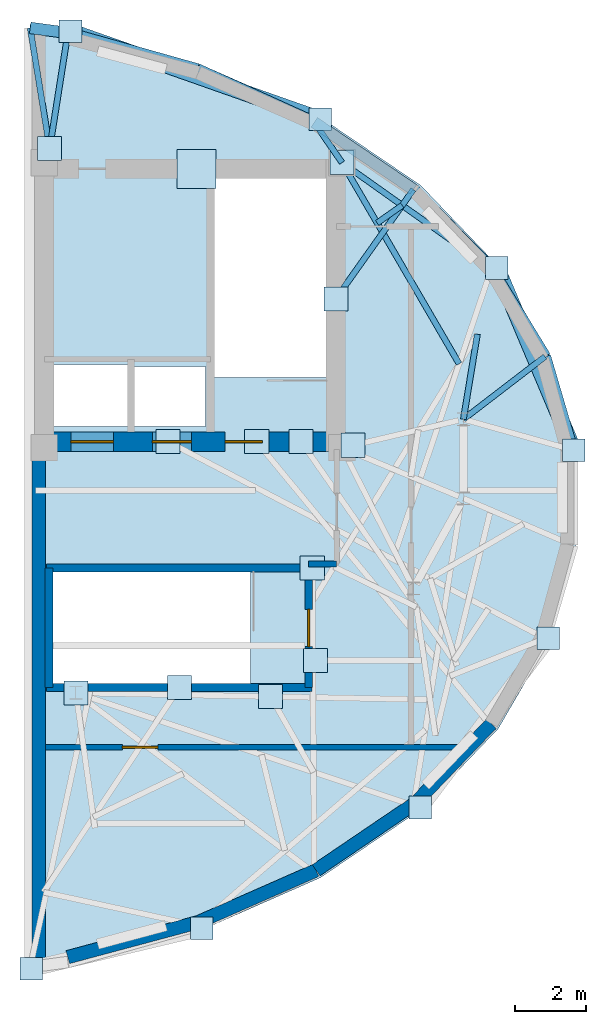
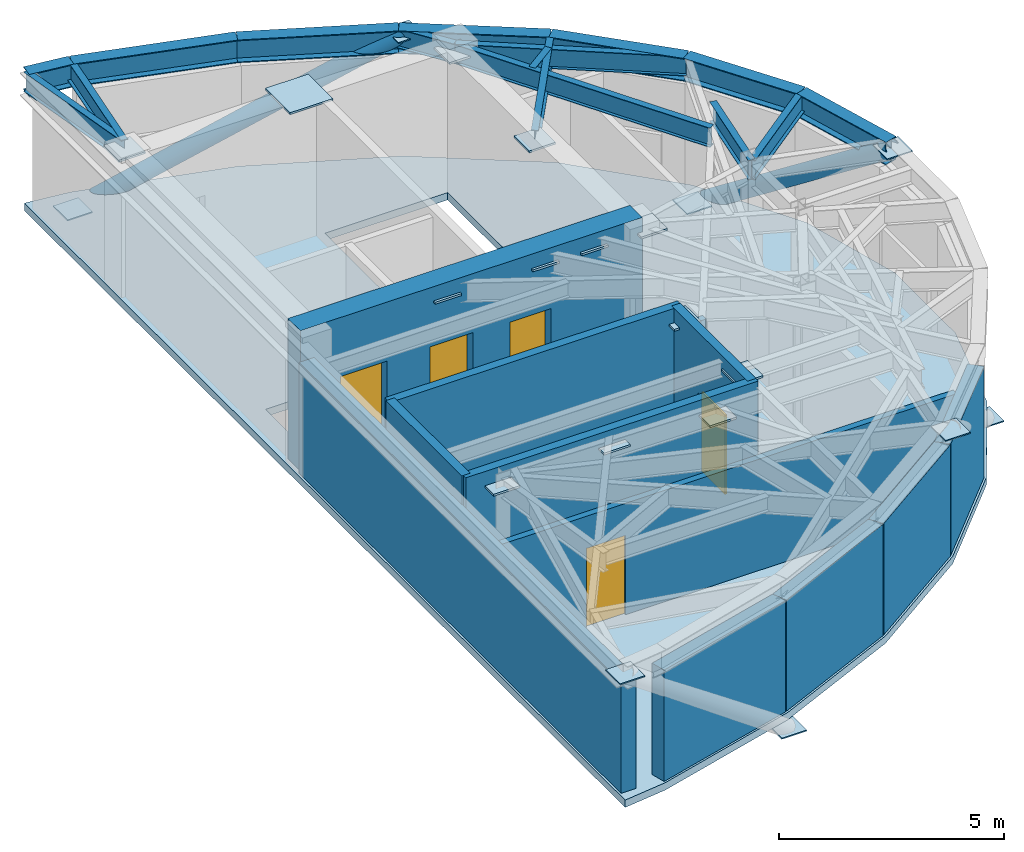
# One storey, part 2 of 4: 21 plates, 16 beams, 12 walls, 5 doors, 2 members, 1 slab, 5 openings.
"""IFC4 building model written with IfcOpenShell, lengths in metres."""

from ifc_helpers import new_model, si_unit, direction, frame, frame_2d, origin, origin_2d, place, context, subcontext, project, spatial, polyline, rectangle, hollow_circle, i_section, outline, extrude, material, layer, layer_set, material_profile, profile_set, type_object, element, fill, save


model = new_model("IFC4")

# Units and contexts
model_context = context("Model", 3, precision=1e-05, world=origin(), true_north=direction((0.0, 1.0)))
body_context = subcontext(model_context, "Body", "Model", "MODEL_VIEW")
ifc_project = project(units=[si_unit("LENGTHUNIT", "METRE"), si_unit("AREAUNIT", "SQUARE_METRE"), si_unit("VOLUMEUNIT", "CUBIC_METRE"), si_unit("PLANEANGLEUNIT", "RADIAN"), si_unit("MASSUNIT", "GRAM", prefix="KILO")], contexts=[model_context])

# Site, building, storey
site_placement = place(None, origin())
site = spatial("IfcSite", under=ifc_project, at=site_placement, CompositionType="ELEMENT")
building_placement = place(site_placement, origin())
building = spatial("IfcBuilding", under=site, at=building_placement, Name="Keldmark Tower", CompositionType="ELEMENT")
storey_placement = place(building_placement, frame((0.0, 0.0, 288.199951171875)))
storey = spatial("IfcBuildingStorey", under=building, at=storey_placement, Name="L81", CompositionType="ELEMENT", Elevation=288.199951171875)

# Members
ifc_material_1 = material(Name="Steel ASTM A572 Grade 50", Category="steel")
ifc_material_profile_1 = material_profile(ifc_material_1, hollow_circle(Radius=0.22509765625, WallThickness=0.02197265625, at=origin_2d()), Name="CHS450X22")
ifc_profile_set_1 = profile_set([ifc_material_profile_1], Name="Steel ASTM A572 Grade 50")
member_type = type_object("IfcMemberType", Name="Crown Frame Brace CHS450X22", PredefinedType="USERDEFINED", material=ifc_profile_set_1)
member_1_placement = place(storey_placement, frame((5.936767578125, 13.155517578125, -0.449951171875), z_axis=(0.83853192612, -0.295334190384, 0.45786671081), x_axis=(0.332201646058, 0.943208389677, 0.0)))
element("IfcMember", 1, at=member_1_placement, inside=storey, type_object=member_type, Name="L81 Crown Frame Diagonal E00", ObjectType="CROWN FRAME", PredefinedType="USERDEFINED", context=body_context, shape_type="SweptSolid", body=[
    extrude(hollow_circle(Radius=0.22509765625, WallThickness=0.02197265625, at=origin_2d()), origin(), (0.0, 0.0, 1.0), 8.40869140625),
])
member_2_placement = place(storey_placement, frame((17.97119140625, 6.47900390625, -0.449951171875), z_axis=(0.319961056881, -0.758363522437, 0.567899366011), x_axis=(0.921352653811, 0.388727780479, 0.0)))
element("IfcMember", 2, at=member_2_placement, inside=storey, type_object=member_type, Name="L81 Crown Frame Diagonal E04", ObjectType="CROWN FRAME", PredefinedType="USERDEFINED", context=body_context, shape_type="SweptSolid", body=[
    extrude(hollow_circle(Radius=0.22509765625, WallThickness=0.02197265625, at=origin_2d()), origin(), (0.0, 0.0, 1.0), 6.779541015625),
])

# Beams
ifc_material_2 = material(Name="Steel ASTM A992 Grade 50", Category="steel")
ifc_material_profile_2 = material_profile(ifc_material_2, i_section(OverallWidth=0.166015625, OverallDepth=0.529052734375, WebThickness=0.009765625, FlangeThickness=0.013671875, at=origin_2d()), Name="W21X50")
ifc_profile_set_2 = profile_set([ifc_material_profile_2], Name="Steel ASTM A992 Grade 50")
beam_type_1 = type_object("IfcBeamType", Name="Radial Tie Girder W21X50", PredefinedType="BEAM", material=ifc_profile_set_2)
beam_1_placement = place(storey_placement, frame((17.025634765625, 2.2080078125, 3.385498046875), z_axis=(0.162201245163, 0.986757698763, 0.0), x_axis=(-0.986757698763, 0.162201245163, 0.0)))
element("IfcBeam", 3, at=beam_1_placement, inside=storey, type_object=beam_type_1, Name="L81 Local Collector Chord CRT-E05C", PredefinedType="BEAM", context=body_context, shape_type="SweptSolid", body=[
    extrude(i_section(OverallWidth=0.166015625, OverallDepth=0.529052734375, WebThickness=0.009765625, FlangeThickness=0.013671875, at=origin_2d()), origin(), (0.0, 0.0, 1.0), 2.432373046875),
])
beam_2_placement = place(storey_placement, frame((13.60009765625, 9.449951171875, 3.385498046875), z_axis=(0.503038955879, -0.864263738027, 0.0), x_axis=(0.864263738027, 0.503038955879, 0.0)))
element("IfcBeam", 4, at=beam_2_placement, inside=storey, type_object=beam_type_1, Name="L81 Framing Pin Header PH-002", PredefinedType="BEAM", context=body_context, shape_type="SweptSolid", body=[
    extrude(i_section(OverallWidth=0.166015625, OverallDepth=0.529052734375, WebThickness=0.009765625, FlangeThickness=0.013671875, at=origin_2d()), origin(), (0.0, 0.0, 1.0), 6.5693359375),
])
beam_3_placement = place(storey_placement, frame((17.025634765625, 2.2080078125, 3.385498046875), z_axis=(0.79326401378, 0.608877823904, 0.0), x_axis=(-0.608877823904, 0.79326401378, 0.0)))
element("IfcBeam", 5, at=beam_3_placement, inside=storey, type_object=beam_type_1, Name="L81 Perimeter Column Bracket CRT-E06", PredefinedType="BEAM", context=body_context, shape_type="SweptSolid", body=[
    extrude(i_section(OverallWidth=0.166015625, OverallDepth=0.529052734375, WebThickness=0.009765625, FlangeThickness=0.013671875, at=origin_2d()), origin(), (0.0, 0.0, 1.0), 2.905029296875),
])
beam_4_placement = place(storey_placement, frame((17.814697265625, 6.4580078125, 3.385498046875), z_axis=(-0.81542155672, 0.578867588345, 0.0), x_axis=(-0.578867588345, -0.81542155672, 0.0)))
element("IfcBeam", 6, at=beam_4_placement, inside=storey, type_object=beam_type_1, Name="L81 Straddling Support Chord CRT-E04RB", PredefinedType="BEAM", context=body_context, shape_type="SweptSolid", body=[
    extrude(i_section(OverallWidth=0.166015625, OverallDepth=0.529052734375, WebThickness=0.009765625, FlangeThickness=0.013671875, at=origin_2d()), origin(), (0.0, 0.0, 1.0), 5.168701171875),
])
beam_5_placement = place(storey_placement, frame((14.591552734375, 7.74658203125, 3.385498046875), z_axis=(0.817249605377, 0.576283855848, 0.0), x_axis=(-0.576283855848, 0.817249605377, 0.0)))
element("IfcBeam", 7, at=beam_5_placement, inside=storey, type_object=beam_type_1, Name="L81 Framing Pin Header PH-007", PredefinedType="BEAM", context=body_context, shape_type="SweptSolid", body=[
    extrude(i_section(OverallWidth=0.166015625, OverallDepth=0.529052734375, WebThickness=0.009765625, FlangeThickness=0.013671875, at=origin_2d()), origin(), (0.0, 0.0, 1.0), 0.8642578125),
])
beam_6_placement = place(storey_placement, frame((13.425048828125, 5.606201171875, 3.385498046875), z_axis=(0.578812074766, 0.815460962956, 0.0), x_axis=(-0.815460962956, 0.578812074766, 0.0)))
element("IfcBeam", 8, at=beam_6_placement, inside=storey, type_object=beam_type_1, Name="L81 Perimeter Radial Tie Girder CRT-E04R", PredefinedType="BEAM", context=body_context, shape_type="SweptSolid", body=[
    extrude(i_section(OverallWidth=0.166015625, OverallDepth=0.529052734375, WebThickness=0.009765625, FlangeThickness=0.013671875, at=origin_2d()), origin(), (0.0, 0.0, 1.0), 3.783203125),
])
beam_7_placement = place(storey_placement, frame((5.35009765625, 9.85009765625, 3.385498046875), z_axis=(0.155647264253, 0.987812699417, 0.0), x_axis=(-0.987812699417, 0.155647264253, 0.0)))
element("IfcBeam", 9, at=beam_7_placement, inside=storey, type_object=beam_type_1, Name="L81 East Crown Shear-Wall Bracket CRT-E01G", PredefinedType="BEAM", context=body_context, shape_type="SweptSolid", body=[
    extrude(i_section(OverallWidth=0.166015625, OverallDepth=0.529052734375, WebThickness=0.009765625, FlangeThickness=0.013671875, at=origin_2d()), origin(), (0.0, 0.0, 1.0), 3.30029296875),
])
beam_8_placement = place(storey_placement, frame((5.35009765625, 9.85009765625, 3.385498046875), z_axis=(-0.159539666584, 0.987191518798, 0.0), x_axis=(-0.987191518798, -0.159539666584, 0.0)))
element("IfcBeam", 10, at=beam_8_placement, inside=storey, type_object=beam_type_1, Name="L81 East Crown Shear-Wall Bracket CRT-E16G", PredefinedType="BEAM", context=body_context, shape_type="SweptSolid", body=[
    extrude(i_section(OverallWidth=0.166015625, OverallDepth=0.529052734375, WebThickness=0.009765625, FlangeThickness=0.013671875, at=origin_2d()), origin(), (0.0, 0.0, 1.0), 3.44775390625),
])
beam_9_placement = place(storey_placement, frame((13.60009765625, 9.449951171875, 3.385498046875), z_axis=(-0.567291948525, 0.823516754619, 0.0), x_axis=(-0.823516754619, -0.567291948525, 0.0)))
element("IfcBeam", 11, at=beam_9_placement, inside=storey, type_object=beam_type_1, Name="L81 Perimeter Column Bracket CRT-E03G", PredefinedType="BEAM", context=body_context, shape_type="SweptSolid", body=[
    extrude(i_section(OverallWidth=0.166015625, OverallDepth=0.529052734375, WebThickness=0.009765625, FlangeThickness=0.013671875, at=origin_2d()), origin(), (0.0, 0.0, 1.0), 1.384521484375),
])
ifc_material_3 = material(Name="Steel ASTM A992 Grade 50", Category="steel")
ifc_material_profile_3 = material_profile(ifc_material_3, i_section(OverallWidth=0.326904296875, OverallDepth=0.6220703125, WebThickness=0.015380859375, FlangeThickness=0.0244140625, at=origin_2d()), Name="W24X131")
ifc_profile_set_3 = profile_set([ifc_material_profile_3], Name="Steel ASTM A992 Grade 50")
beam_type_2 = type_object("IfcBeamType", Name="Spandrel Ring Beam W24X131", PredefinedType="SPANDREL", material=ifc_profile_set_3)
beam_10_placement = place(storey_placement, frame((5.86376953125, 13.110107421875, 3.339111328125), z_axis=(0.962726776625, -0.270475791097, 0.0), x_axis=(0.270475791097, 0.962726776625, 0.0)))
element("IfcBeam", 12, at=beam_10_placement, inside=storey, type_object=beam_type_2, Name="L81 Crown Spandrel Ring Beam CRB-E01", PredefinedType="SPANDREL", context=body_context, shape_type="SweptSolid", body=[
    extrude(i_section(OverallWidth=0.326904296875, OverallDepth=0.6220703125, WebThickness=0.015380859375, FlangeThickness=0.0244140625, at=origin_2d()), origin(), (0.0, 0.0, 1.0), 3.800048828125),
])
beam_11_placement = place(storey_placement, frame((9.522216796875, 12.082275390625, 3.339111328125), z_axis=(0.910823886313, -0.412795164848, 0.0), x_axis=(0.412795164848, 0.910823886313, 0.0)))
element("IfcBeam", 13, at=beam_11_placement, inside=storey, type_object=beam_type_2, Name="L81 Crown Spandrel Ring Beam CRB-E02", PredefinedType="SPANDREL", context=body_context, shape_type="SweptSolid", body=[
    extrude(i_section(OverallWidth=0.326904296875, OverallDepth=0.6220703125, WebThickness=0.015380859375, FlangeThickness=0.0244140625, at=origin_2d()), origin(), (0.0, 0.0, 1.0), 3.61474609375),
])
beam_12_placement = place(storey_placement, frame((12.814697265625, 10.590087890625, 3.339111328125), z_axis=(0.827627820282, -0.561277285391, 0.0), x_axis=(0.561277285391, 0.827627820282, 0.0)))
element("IfcBeam", 14, at=beam_12_placement, inside=storey, type_object=beam_type_2, Name="L81 Crown Spandrel Ring Beam CRB-E03", PredefinedType="SPANDREL", context=body_context, shape_type="SweptSolid", body=[
    extrude(i_section(OverallWidth=0.326904296875, OverallDepth=0.6220703125, WebThickness=0.015380859375, FlangeThickness=0.0244140625, at=origin_2d()), origin(), (0.0, 0.0, 1.0), 3.38330078125),
])
beam_13_placement = place(storey_placement, frame((15.61474609375, 8.691162109375, 3.339111328125), z_axis=(0.70179100057, -0.712382896706, 0.0), x_axis=(0.712382896706, 0.70179100057, 0.0)))
element("IfcBeam", 15, at=beam_13_placement, inside=storey, type_object=beam_type_2, Name="L81 Crown Spandrel Ring Beam CRB-E04", PredefinedType="SPANDREL", context=body_context, shape_type="SweptSolid", body=[
    extrude(i_section(OverallWidth=0.326904296875, OverallDepth=0.6220703125, WebThickness=0.015380859375, FlangeThickness=0.0244140625, at=origin_2d()), origin(), (0.0, 0.0, 1.0), 3.134765625),
])
beam_14_placement = place(storey_placement, frame((17.814697265625, 6.4580078125, 3.339111328125), z_axis=(0.521222413768, -0.853420878222, 0.0), x_axis=(0.853420878222, 0.521222413768, 0.0)))
element("IfcBeam", 16, at=beam_14_placement, inside=storey, type_object=beam_type_2, Name="L81 Crown Spandrel Ring Beam CRB-E05", PredefinedType="SPANDREL", context=body_context, shape_type="SweptSolid", body=[
    extrude(i_section(OverallWidth=0.326904296875, OverallDepth=0.6220703125, WebThickness=0.015380859375, FlangeThickness=0.0244140625, at=origin_2d()), origin(), (0.0, 0.0, 1.0), 2.907470703125),
])
beam_15_placement = place(storey_placement, frame((19.330078125, 3.976806640625, 3.339111328125), z_axis=(0.281492130233, -0.959563536519, 0.0), x_axis=(0.959563536519, 0.281492130233, 0.0)))
element("IfcBeam", 17, at=beam_15_placement, inside=storey, type_object=beam_type_2, Name="L81 Crown Spandrel Ring Beam CRB-E06", PredefinedType="SPANDREL", context=body_context, shape_type="SweptSolid", body=[
    extrude(i_section(OverallWidth=0.326904296875, OverallDepth=0.6220703125, WebThickness=0.015380859375, FlangeThickness=0.0244140625, at=origin_2d()), origin(), (0.0, 0.0, 1.0), 2.7451171875),
])
beam_16_placement = place(storey_placement, frame((4.800048828125, 13.253662109375, 3.339111328125), z_axis=(0.991016074053, -0.133742816512, 0.0), x_axis=(0.133742816512, 0.991016074053, 0.0)))
element("IfcBeam", 18, at=beam_16_placement, inside=storey, type_object=beam_type_2, Name="L81 Crown Spandrel Ring Beam CRB-E16", PredefinedType="SPANDREL", context=body_context, shape_type="SweptSolid", body=[
    extrude(i_section(OverallWidth=0.326904296875, OverallDepth=0.6220703125, WebThickness=0.015380859375, FlangeThickness=0.0244140625, at=origin_2d()), origin(), (0.0, 0.0, 1.0), 1.0732421875),
])

# Plates
ifc_material_4 = material(Name="Steel ASTM A572 Grade 50", Category="steel")
ifc_layer_1 = layer(ifc_material_4, 0.06005859375)
ifc_layer_set_1 = layer_set([ifc_layer_1], Name="Steel ASTM A572 Grade 50")
plate_type_1 = type_object("IfcPlateType", Name="Belt Truss Kink Node Assembly KN01 60 mm", PredefinedType="USERDEFINED", material=ifc_layer_set_1)
for number, where, z_axis, x_axis, name in (
    (19, (13.91162109375, 1.473388671875, 3.35791015625), (0.0, 0.0, 1.0), (1.0, 0.0, 0.0), "L81 Core Wall Cast-In Embed Plate 2264"),
    (20, (13.60009765625, 9.449951171875, 3.35791015625), (0.0, 0.0, 1.0), (1.0, 0.0, 0.0), "L81 Core Wall Cast-In Embed Plate 2265"),
    (21, (8.685791015625, 1.574951171875, 3.35791015625), (0.0, 0.0, 1.0), (1.0, 0.0, 0.0), "L81 Core Wall Cast-In Embed Plate 2266"),
    (22, (12.4462890625, 1.574951171875, 3.35791015625), (0.0, 0.0, 1.0), (1.0, 0.0, 0.0), "L81 Core Wall Cast-In Embed Plate 2267"),
    (23, (6.089599609375, -5.512939453125, 3.35791015625), (0.0, 0.0, 1.0), (1.0, 0.0, 0.0), "L81 Core Wall Cast-In Embed Plate 2268"),
    (24, (13.425048828125, 5.606201171875, 3.35791015625), (0.0, 0.0, 1.0), (1.0, 0.0, 0.0), "L81 Core Wall Cast-In Embed Plate 2269"),
    (25, (11.19287109375, 1.574951171875, 3.35791015625), (0.0, 0.0, 1.0), (1.0, 0.0, 0.0), "L81 Core Wall Cast-In Embed Plate 2270"),
    (26, (11.586669921875, -5.618408203125, 3.35791015625), (0.0, 0.0, 1.0), (1.0, 0.0, 0.0), "L81 Core Wall Cast-In Embed Plate 2271"),
    (27, (12.760009765625, -1.989990234375, 3.35791015625), (0.0, 0.0, 1.0), (1.0, 0.0, 0.0), "L81 Core Wall Cast-In Embed Plate 2272"),
    (28, (9.010009765625, -5.360107421875, 3.35791015625), (0.0, 0.0, 1.0), (1.0, 0.0, 0.0), "L81 Core Wall Cast-In Embed Plate 2273"),
    (29, (5.35009765625, 9.85009765625, 3.35791015625), (0.0, 0.0, 1.0), (1.0, 0.0, 0.0), "L81 Core Wall Cast-In Embed Plate 2274"),
    (30, (12.8515625, -4.60009765625, 3.4208984375), (0.0, 0.0, 1.0), (1.0, 0.0, 0.0), "L81 Core Wall Cast-In Embed Plate 2275"),
):
    element("IfcPlate", number, at=place(storey_placement, frame(where, z_axis=z_axis, x_axis=x_axis)), inside=storey, type_object=plate_type_1, Name=name, ObjectType="CAP PLATE", PredefinedType="USERDEFINED", context=body_context, shape_type="SweptSolid", body=[
        extrude(rectangle(XDim=0.679931640625, YDim=0.679931640625, at=origin_2d()), origin(), (0.0, 0.0, 1.0), 0.054931640625),
    ])
ifc_material_5 = material(Name="Steel ASTM A572 Grade 50", Category="steel")
ifc_layer_2 = layer(ifc_material_5, 0.030029296875)
ifc_layer_set_2 = layer_set([ifc_layer_2], Name="Steel ASTM A572 Grade 50")
plate_type_2 = type_object("IfcPlateType", Name="Crown Frame End Cap Plate CP01 30 mm", PredefinedType="SHEET", material=ifc_layer_set_2)
for number, where, z_axis, x_axis, name in (
    (31, (5.936767578125, 13.155517578125, -0.46484375), (0.0, 0.0, 1.0), (1.0, 0.0, 0.0), "L81 Crown Frame Node Cap E00-0"),
    (32, (12.98779296875, 10.672119140625, 3.38525390625), (0.0, 0.0, 1.0), (1.0, 0.0, 0.0), "L81 Crown Frame Node Cap E00-1"),
    (33, (17.97119140625, 6.47900390625, -0.46484375), (0.0, 0.0, 1.0), (1.0, 0.0, 0.0), "L81 Crown Frame Node Cap E04-0"),
    (34, (20.140380859375, 1.337646484375, 3.38525390625), (0.0, 0.0, 1.0), (1.0, 0.0, 0.0), "L81 Crown Frame Node Cap E04-1"),
    (35, (19.423095703125, -3.9736328125, -0.46484375), (0.0, 0.0, 1.0), (1.0, 0.0, 0.0), "L81 Crown Frame Node Cap E08-0"),
    (36, (15.806884765625, -8.749755859375, 3.38525390625), (0.0, 0.0, 1.0), (1.0, 0.0, 0.0), "L81 Crown Frame Node Cap E08-1"),
    (37, (9.64208984375, -12.1552734375, -0.46484375), (0.0, 0.0, 1.0), (1.0, 0.0, 0.0), "L81 Crown Frame Node Cap E12-0"),
    (38, (4.83251953125, -13.29638671875, 3.38525390625), (0.0, 0.0, 1.0), (1.0, 0.0, 0.0), "L81 Crown Frame Node Cap E12-1"),
):
    element("IfcPlate", number, at=place(storey_placement, frame(where, z_axis=z_axis, x_axis=x_axis)), inside=storey, type_object=plate_type_2, Name=name, PredefinedType="SHEET", context=body_context, shape_type="SweptSolid", body=[
        extrude(rectangle(XDim=0.639892578125, YDim=0.639892578125, at=origin_2d()), origin(), (0.0, 0.0, 1.0), 0.030029296875),
    ])
ifc_material_6 = material(Name="Steel ASTM A572 Grade 50", Category="steel")
ifc_layer_3 = layer(ifc_material_6, 0.050048828125)
ifc_layer_set_3 = layer_set([ifc_layer_3], Name="Steel ASTM A572 Grade 50")
plate_type_3 = type_object("IfcPlateType", Name="Crown Mast Base Plate MP1-BP 50 mm", PredefinedType="SHEET", material=ifc_layer_set_3)
plate_placement = place(storey_placement, frame((9.5, 9.27490234375, 3.75), z_axis=(0.0, 0.0, 1.0), x_axis=(1.0, 0.0, 0.0)))
element("IfcPlate", 39, at=plate_placement, inside=storey, type_object=plate_type_3, Name="L81 Crown Pinnacle Mast Base Plate MP1-BP", PredefinedType="SHEET", context=body_context, shape_type="SweptSolid", body=[
    extrude(rectangle(XDim=1.10009765625, YDim=1.10009765625, at=origin_2d()), origin(), (0.0, 0.0, 1.0), 0.050048828125),
])

# Slab
ifc_material_7 = material(Name="Concrete C35/45", Category="concrete")
ifc_layer_4 = layer(ifc_material_7, 0.199951171875)
ifc_layer_set_4 = layer_set([ifc_layer_4], Name="Concrete C35/45")
slab_type = type_object("IfcSlabType", Name="Low-Rise Office Composite Slab 200 mm", PredefinedType="FLOOR", material=ifc_layer_set_4)
slab_placement = place(storey_placement, frame((0.0, 0.0, -0.199951171875)))
element("IfcSlab", 40, at=slab_placement, inside=storey, type_object=slab_type, Name="L81 East Crown Plant Floor Slab", PredefinedType="FLOOR", context=body_context, shape_type="SweptSolid", body=[
    extrude(outline(polyline([(5.9072265625, 13.2080078125), (9.62451171875, 12.212646484375), (12.98583984375, 10.732177734375), (15.8232421875, 8.8076171875), (18.006103515625, 6.52783203125), (19.473388671875, 4.006591796875), (20.19921875, 1.349365234375), (20.19921875, -1.349365234375), (19.473388671875, -4.006591796875), (18.006103515625, -6.52783203125), (15.8232421875, -8.8076171875), (12.98583984375, -10.732177734375), (9.62451171875, -12.212646484375), (5.9072265625, -13.2080078125), (4.800048828125, -13.346923828125), (4.800048828125, 13.346923828125), (5.9072265625, 13.2080078125)]), holes=[polyline([(13.14990234375, 3.385009765625), (13.14990234375, 9.0), (10.0, 9.0), (10.0, 3.385009765625), (13.14990234375, 3.385009765625)]), polyline([(11.014892578125, -2.10009765625), (5.43994140625, -2.10009765625), (5.43994140625, -5.25), (11.014892578125, -5.25), (11.014892578125, -2.10009765625)]), polyline([(7.75, 2.0), (9.75, 2.0), (9.75, 3.699951171875), (7.75, 3.699951171875), (7.75, 2.0)]), polyline([(5.449951171875, 2.0), (7.550048828125, 2.0), (7.550048828125, 3.75), (5.449951171875, 3.75), (5.449951171875, 2.0)])]), origin(), (0.0, 0.0, 1.0), 0.199951171875),
])

# Walls
ifc_material_8 = material(Name="Kasota Buff Limestone Ashlar Masonry", Category="masonry")
ifc_layer_5 = layer(ifc_material_8, 0.3798828125)
ifc_layer_set_5 = layer_set([ifc_layer_5], Name="Kasota Buff Limestone Ashlar Masonry")
wall_type_1 = type_object("IfcWallType", Name="Crown Kasota Limestone Screen Wall 380 mm", PredefinedType="ELEMENTEDWALL", material=ifc_layer_set_5)
wall_1_placement = place(storey_placement, frame((15.66748046875, -8.623291015625, 0.0), z_axis=(0.0, 0.0, 1.0), x_axis=(0.691554901652, 0.722323901031, 0.0)))
element("IfcWall", 41, at=wall_1_placement, inside=storey, type_object=wall_type_1, Name="L81 Crown Limestone Enclosure Wall E10", PredefinedType="ELEMENTEDWALL", context=body_context, shape_type="SweptSolid", body=[
    extrude(rectangle(XDim=3.1025390625, YDim=0.3798828125, at=frame_2d((1.55126953125, 0.0))), origin(), (0.0, 0.0, 1.0), 3.02001953125),
])
wall_2_placement = place(storey_placement, frame((12.869140625, -10.521240234375, 0.0), z_axis=(0.0, 0.0, 1.0), x_axis=(0.827602756671, 0.561314241001, 0.0)))
element("IfcWall", 42, at=wall_2_placement, inside=storey, type_object=wall_type_1, Name="L81 Crown Limestone Enclosure Wall E11", PredefinedType="ELEMENTEDWALL", context=body_context, shape_type="SweptSolid", body=[
    extrude(rectangle(XDim=3.38134765625, YDim=0.3798828125, at=frame_2d((1.690673828125, 0.0))), origin(), (0.0, 0.0, 1.0), 3.02001953125),
])
wall_3_placement = place(storey_placement, frame((9.544677734375, -11.985595703125, 0.0), z_axis=(0.0, 0.0, 1.0), x_axis=(0.915153428526, 0.403105696137, 0.0)))
element("IfcWall", 43, at=wall_3_placement, inside=storey, type_object=wall_type_1, Name="L81 Crown Limestone Enclosure Wall E12", PredefinedType="ELEMENTEDWALL", context=body_context, shape_type="SweptSolid", body=[
    extrude(rectangle(XDim=3.632568359375, YDim=0.3798828125, at=frame_2d((1.81640625, 0.0))), origin(), (0.0, 0.0, 1.0), 3.02001953125),
])
wall_4_placement = place(storey_placement, frame((5.861083984375, -12.9716796875, 0.0), z_axis=(0.0, 0.0, 1.0), x_axis=(0.965986900467, 0.2585910055, 0.0)))
element("IfcWall", 44, at=wall_4_placement, inside=storey, type_object=wall_type_1, Name="L81 Crown Limestone Enclosure Wall E13", PredefinedType="ELEMENTEDWALL", context=body_context, shape_type="SweptSolid", body=[
    extrude(rectangle(XDim=3.813232421875, YDim=0.3798828125, at=frame_2d((1.90673828125, 0.0))), origin(), (0.0, 0.0, 1.0), 3.02001953125),
])
wall_5_placement = place(storey_placement, frame((5.0400390625, 1.219970703125, 0.0), z_axis=(0.0, 0.0, 1.0), x_axis=(0.0, -1.0, 0.0)))
element("IfcWall", 45, at=wall_5_placement, inside=storey, type_object=wall_type_1, Name="L81 Crown Limestone Enclosure Wall E15", PredefinedType="ELEMENTEDWALL", context=body_context, shape_type="SweptSolid", body=[
    extrude(rectangle(XDim=14.294921875, YDim=0.3798828125, at=frame_2d((7.1474609375, 0.0))), origin(), (0.0, 0.0, 1.0), 3.02001953125),
])

# Wall, openings, doors
ifc_material_9 = material(Name="Concrete C50/60", Category="concrete")
ifc_layer_6 = layer(ifc_material_9, 0.550048828125)
ifc_layer_set_6 = layer_set([ifc_layer_6], Name="Concrete C50/60")
wall_type_2 = type_object("IfcWallType", Name="High-Rise Core Shear Wall 550 mm", PredefinedType="SHEAR", material=ifc_layer_set_6)
wall_6_placement = place(storey_placement, frame((13.699951171875, 1.574951171875, 0.0), z_axis=(0.0, 0.0, 1.0), x_axis=(-1.0, 0.0, 0.0)))
wall_6 = element("IfcWall", 46, at=wall_6_placement, inside=storey, type_object=wall_type_2, Name="L81 East Crown Core South Wall", PredefinedType="SHEAR", context=body_context, shape_type="SweptSolid", body=[
    extrude(rectangle(XDim=8.77490234375, YDim=0.550048828125, at=frame_2d((4.387451171875, 0.0))), origin(), (0.0, 0.0, 1.0), 3.800048828125),
])
opening_1_placement = place(wall_6_placement, frame((2.35009765625, 0.0, 0.0)))
opening_1 = element("IfcOpeningElement", 47, at=opening_1_placement, cuts=wall_6, Name="Opening D-ST105", PredefinedType="OPENING", context=body_context, shape_type="SweptSolid", body=[
    extrude(rectangle(XDim=1.050048828125, YDim=2.14990234375, at=frame_2d((0.52490234375, 1.074951171875))), frame((0.0, 0.284912109375, 0.0), z_axis=(0.0, -1.0, 0.0), x_axis=(1.0, 0.0, 0.0)), (0.0, 0.0, 1.0), 0.570068359375),
])
opening_2_placement = place(wall_6_placement, frame((6.550048828125, 0.0, 0.0)))
opening_2 = element("IfcOpeningElement", 48, at=opening_2_placement, cuts=wall_6, Name="Opening LD-120", PredefinedType="OPENING", context=body_context, shape_type="SweptSolid", body=[
    extrude(rectangle(XDim=1.199951171875, YDim=2.199951171875, at=frame_2d((0.60009765625, 1.10009765625))), frame((0.0, 0.284912109375, 0.0), z_axis=(0.0, -1.0, 0.0), x_axis=(1.0, 0.0, 0.0)), (0.0, 0.0, 1.0), 0.570068359375),
])
opening_3_placement = place(wall_6_placement, frame((4.35009765625, 0.0, 0.0)))
opening_3 = element("IfcOpeningElement", 49, at=opening_3_placement, cuts=wall_6, Name="Opening LD-110", PredefinedType="OPENING", context=body_context, shape_type="SweptSolid", body=[
    extrude(rectangle(XDim=1.10009765625, YDim=2.199951171875, at=frame_2d((0.550048828125, 1.10009765625))), frame((0.0, 0.284912109375, 0.0), z_axis=(0.0, -1.0, 0.0), x_axis=(1.0, 0.0, 0.0)), (0.0, 0.0, 1.0), 0.570068359375),
])
ifc_material_10 = material(Name="Brushed Bronze Hoistway Sliding Leaf", Category="metal")
door_type_1 = type_object("IfcDoorType", Name="Lift Landing Sliding Door 1100x2200", OperationType="SLIDING_TO_LEFT", PredefinedType="DOOR", material=ifc_material_10)
door_1_placement = place(opening_3_placement, origin())
door_1 = element("IfcDoor", 50, at=door_1_placement, inside=storey, type_object=door_type_1, Name="L81 Lift Landing Sliding Door 1100x2200 LD-EL-FS2-L81", OperationType="SLIDING_TO_LEFT", OverallHeight=2.199951171875, OverallWidth=1.10009765625, PredefinedType="DOOR", context=body_context, shape_type="SweptSolid", body=[
    extrude(rectangle(XDim=1.10009765625, YDim=2.199951171875, at=frame_2d((0.550048828125, 1.10009765625))), frame((0.0, 0.02490234375, 0.0), z_axis=(0.0, -1.0, 0.0), x_axis=(1.0, 0.0, 0.0)), (0.0, 0.0, 1.0), 0.050048828125),
])
fill(opening_3, door_1)
ifc_material_11 = material(Name="Heavy-Duty Brushed Metal Hoistway Sliding Leaf", Category="metal")
door_type_2 = type_object("IfcDoorType", Name="Service Lift Sliding Door 1200x2200", OperationType="SLIDING_TO_RIGHT", PredefinedType="DOOR", material=ifc_material_11)
door_2_placement = place(opening_2_placement, origin())
door_2 = element("IfcDoor", 51, at=door_2_placement, inside=storey, type_object=door_type_2, Name="L81 Service Lift Sliding Door 1200x2200 LD-EL-SV1-L81", OperationType="SLIDING_TO_RIGHT", OverallHeight=2.199951171875, OverallWidth=1.199951171875, PredefinedType="DOOR", context=body_context, shape_type="SweptSolid", body=[
    extrude(rectangle(XDim=1.199951171875, YDim=2.199951171875, at=frame_2d((0.60009765625, 1.10009765625))), frame((0.0, 0.02490234375, 0.0), z_axis=(0.0, -1.0, 0.0), x_axis=(1.0, 0.0, 0.0)), (0.0, 0.0, 1.0), 0.050048828125),
])
fill(opening_2, door_2)
ifc_material_12 = material(Name="Hollow Metal Fire-Rated Door Assembly", Category="metal")
door_type_3 = type_object("IfcDoorType", Name="Stair Fire Door 1050x2150", OperationType="NOTDEFINED", PredefinedType="DOOR", material=ifc_material_12)
door_3_placement = place(opening_1_placement, origin())
door_3 = element("IfcDoor", 52, at=door_3_placement, inside=storey, type_object=door_type_3, Name="L81 Stair Fire Door 1050x2150 D-ST2-L81", OperationType="SINGLE_SWING_LEFT", OverallHeight=2.14990234375, OverallWidth=1.050048828125, PredefinedType="DOOR", context=body_context, shape_type="SweptSolid", body=[
    extrude(rectangle(XDim=1.050048828125, YDim=2.14990234375, at=frame_2d((0.52490234375, 1.074951171875))), frame((0.0, 0.02490234375, 0.0), z_axis=(0.0, -1.0, 0.0), x_axis=(1.0, 0.0, 0.0)), (0.0, 0.0, 1.0), 0.050048828125),
])
fill(opening_1, door_3)

# Wall
ifc_material_13 = material(Name="Type X Fire-Rated Gypsum Partition Assembly", Category="gypsum")
ifc_layer_7 = layer(ifc_material_13, 0.1650390625)
ifc_layer_set_7 = layer_set([ifc_layer_7], Name="Type X Fire-Rated Gypsum Partition Assembly")
wall_type_3 = type_object("IfcWallType", Name="Rated Partition 165 mm", PredefinedType="PARTITIONING", material=ifc_layer_set_7)
wall_7_placement = place(storey_placement, frame((12.659912109375, -1.8798828125, 0.0), z_axis=(0.0, 0.0, 1.0), x_axis=(1.0, 0.0, 0.0)))
element("IfcWall", 53, at=wall_7_placement, inside=storey, type_object=wall_type_3, Name="L81 Rated Partition 165 mm EC-FSAE-S", PredefinedType="PARTITIONING", context=body_context, shape_type="SweptSolid", body=[
    extrude(rectangle(XDim=0.7900390625, YDim=0.1650390625, at=frame_2d((0.39501953125, 0.0))), origin(), (0.0, 0.0, 1.0), 3.111083984375),
])

# Wall, opening, door
wall_8_placement = place(storey_placement, frame((5.238037109375, -7.050048828125, 0.0), z_axis=(0.0, 0.0, 1.0), x_axis=(1.0, 0.0, 0.0)))
wall_8 = element("IfcWall", 54, at=wall_8_placement, inside=storey, type_object=wall_type_3, Name="L81 Rated Partition 165 mm EC-SCOR-S", PredefinedType="PARTITIONING", context=body_context, shape_type="SweptSolid", body=[
    extrude(rectangle(XDim=11.66162109375, YDim=0.1650390625, at=frame_2d((5.830810546875, 0.0))), origin(), (0.0, 0.0, 1.0), 3.01806640625),
])
opening_4_placement = place(wall_8_placement, frame((2.162109375, 0.0, 0.0)))
opening_4 = element("IfcOpeningElement", 55, at=opening_4_placement, cuts=wall_8, Name="Opening D-FD100", PredefinedType="OPENING", context=body_context, shape_type="SweptSolid", body=[
    extrude(rectangle(XDim=1.0, YDim=2.14990234375, at=frame_2d((0.5, 1.074951171875))), frame((0.0, 0.092529296875, 0.0), z_axis=(0.0, -1.0, 0.0), x_axis=(1.0, 0.0, 0.0)), (0.0, 0.0, 1.0), 0.18505859375),
])
ifc_material_14 = material(Name="Hollow Metal Fire-Rated Corridor Door", Category="metal")
door_type_4 = type_object("IfcDoorType", Name="Fire Door 1000x2150", OperationType="NOTDEFINED", PredefinedType="DOOR", material=ifc_material_14)
door_4_placement = place(opening_4_placement, origin())
door_4 = element("IfcDoor", 56, at=door_4_placement, inside=storey, type_object=door_type_4, Name="L81 Fire Door 1000x2150 D-ECPS-L81", OperationType="SINGLE_SWING_RIGHT", OverallHeight=2.14990234375, OverallWidth=1.0, PredefinedType="DOOR", context=body_context, shape_type="SweptSolid", body=[
    extrude(rectangle(XDim=1.0, YDim=2.14990234375, at=frame_2d((0.5, 1.074951171875))), frame((0.0, 0.02490234375, 0.0), z_axis=(0.0, -1.0, 0.0), x_axis=(1.0, 0.0, 0.0)), (0.0, 0.0, 1.0), 0.050048828125),
])
fill(opening_4, door_4)

# Walls
ifc_material_15 = material(Name="Concrete C50/60", Category="concrete")
ifc_layer_8 = layer(ifc_material_15, 0.219970703125)
ifc_layer_set_8 = layer_set([ifc_layer_8], Name="Concrete C50/60")
wall_type_4 = type_object("IfcWallType", Name="Stair Core Shear Wall 220 mm", PredefinedType="SHEAR", material=ifc_layer_set_8)
for number, where, z_axis, x_axis, name in (
    (57, (5.260009765625, -1.989990234375, 0.0), (0.0, 0.0, 1.0), (1.0, 0.0, 0.0), "L81 East Crown Stair ST4 North Wall"),
    (58, (5.260009765625, -5.360107421875, 0.0), (0.0, 0.0, 1.0), (1.0, 0.0, 0.0), "L81 East Crown Stair ST4 South Wall"),
):
    element("IfcWall", number, at=place(storey_placement, frame(where, z_axis=z_axis, x_axis=x_axis)), inside=storey, type_object=wall_type_4, Name=name, PredefinedType="SHEAR", context=body_context, shape_type="SweptSolid", body=[
        extrude(rectangle(XDim=7.5, YDim=0.219970703125, at=frame_2d((3.75, 0.0))), origin(), (0.0, 0.0, 1.0), 3.800048828125),
    ])
wall_9_placement = place(storey_placement, frame((5.330078125, -5.360107421875, 0.0), z_axis=(0.0, 0.0, 1.0), x_axis=(0.0, 1.0, 0.0)))
element("IfcWall", 59, at=wall_9_placement, inside=storey, type_object=wall_type_4, Name="L81 East Crown Stair ST4 West Wall", PredefinedType="SHEAR", context=body_context, shape_type="SweptSolid", body=[
    extrude(rectangle(XDim=3.3701171875, YDim=0.219970703125, at=frame_2d((1.68505859375, 0.0))), origin(), (0.0, 0.0, 1.0), 3.800048828125),
])

# Wall, opening, door
wall_10_placement = place(storey_placement, frame((12.659912109375, -5.360107421875, 0.0), z_axis=(0.0, 0.0, 1.0), x_axis=(0.0, 1.0, 0.0)))
wall_10 = element("IfcWall", 60, at=wall_10_placement, inside=storey, type_object=wall_type_4, Name="L81 East Crown Stair ST4 East Wall", PredefinedType="SHEAR", context=body_context, shape_type="SweptSolid", body=[
    extrude(rectangle(XDim=3.3701171875, YDim=0.219970703125, at=frame_2d((1.68505859375, 0.0))), origin(), (0.0, 0.0, 1.0), 3.800048828125),
])
opening_5_placement = place(wall_10_placement, frame((1.14990234375, 0.0, 0.0)))
opening_5 = element("IfcOpeningElement", 61, at=opening_5_placement, cuts=wall_10, Name="Opening D-ST105", PredefinedType="OPENING", context=body_context, shape_type="SweptSolid", body=[
    extrude(rectangle(XDim=1.050048828125, YDim=2.14990234375, at=frame_2d((0.52490234375, 1.074951171875))), frame((0.0, 0.119873046875, 0.0), z_axis=(0.0, -1.0, 0.0), x_axis=(1.0, 0.0, 0.0)), (0.0, 0.0, 1.0), 0.239990234375),
])
door_5_placement = place(opening_5_placement, origin())
door_5 = element("IfcDoor", 62, at=door_5_placement, inside=storey, type_object=door_type_3, Name="L81 Stair Fire Door 1050x2150 D-ST4-L81", OperationType="SINGLE_SWING_RIGHT", OverallHeight=2.14990234375, OverallWidth=1.050048828125, PredefinedType="DOOR", context=body_context, shape_type="SweptSolid", body=[
    extrude(rectangle(XDim=1.050048828125, YDim=2.14990234375, at=frame_2d((0.52490234375, 1.074951171875))), frame((0.0, 0.02490234375, 0.0), z_axis=(0.0, -1.0, 0.0), x_axis=(1.0, 0.0, 0.0)), (0.0, 0.0, 1.0), 0.050048828125),
])
fill(opening_5, door_5)

save(model, "model.ifc")
